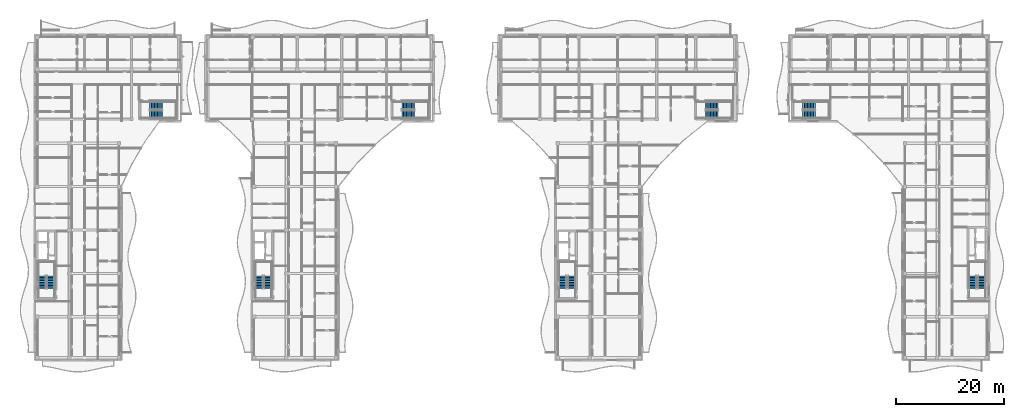
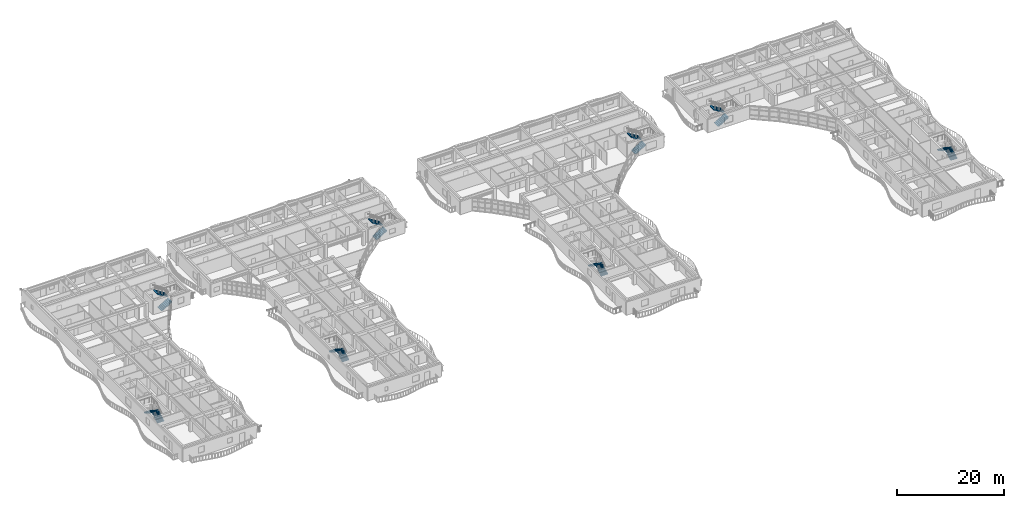
# One storey, part 48 of 76: 16 stair flights, 8 elements without a shape of their own.
"""IFC4 building model written with IfcOpenShell, lengths in metres."""

from ifc_helpers import new_model, si_unit, direction, frame, origin, place, context, subcontext, project, spatial, polyline, outline, extrude, material, type_object, element, aggregate, save


model = new_model("IFC4")

# Units and contexts
model_context = context("Model", 3, precision=1e-05, world=origin(), true_north=direction((0.0, 1.0)))
body_context = subcontext(model_context, "Body", "Model", "MODEL_VIEW")
ifc_project = project(units=[si_unit("LENGTHUNIT", "METRE"), si_unit("AREAUNIT", "SQUARE_METRE"), si_unit("VOLUMEUNIT", "CUBIC_METRE"), si_unit("PLANEANGLEUNIT", "RADIAN"), si_unit("MASSUNIT", "GRAM", prefix="KILO")], contexts=[model_context])

# Site, building, storey
site_placement = place(None, origin())
site = spatial("IfcSite", under=ifc_project, at=site_placement, CompositionType="ELEMENT")
building_placement = place(site_placement, origin())
building = spatial("IfcBuilding", under=site, at=building_placement, Name="Keldmere Railside Commons", CompositionType="ELEMENT")
storey_placement = place(building_placement, frame((0.0, 0.0, 13.760009765625)))
storey = spatial("IfcBuildingStorey", under=building, at=storey_placement, Name="L04", CompositionType="ELEMENT", Elevation=13.760009765625)

# Stair, stair flights
ifc_material = material(Name="Concrete H-30 (C30/37)", Category="concrete")
stair_type_1 = type_object("IfcStairType", Name="Basement Garage Dogleg Escape Stair 1450", PredefinedType="HALF_TURN_STAIR", material=ifc_material)
stair_1_placement = place(storey_placement, origin())
stair_1 = element("IfcStair", 1, at=stair_1_placement, inside=storey, type_object=stair_type_1, Name="L04 Block B Primary Escape Stair 1", PredefinedType="HALF_TURN_STAIR")
stair_flight_type_1 = type_object("IfcStairFlightType", Name="Basement Escape Stair Flight 1450", PredefinedType="STRAIGHT", material=ifc_material)
stair_flight_1_placement = place(storey_placement, frame((106.97509765625, 69.199951171875, 0.0), z_axis=(0.0, 0.0, 1.0), x_axis=(0.0, 1.0, 0.0)))
stair_flight_1 = element("IfcStairFlight", 2, at=stair_flight_1_placement, type_object=stair_flight_type_1, Name="ST-B1 flight 1", NumberOfRisers=9, NumberOfTreads=8, PredefinedType="STRAIGHT", RiserHeight=0.177777778, TreadLength=0.29, context=body_context, shape_type="SweptSolid", body=[
    extrude(outline(polyline([(0.0, 0.0), (0.0, 0.177734375), (0.2900390625, 0.177734375), (0.2900390625, 0.35546875), (0.580078125, 0.35546875), (0.580078125, 0.533447265625), (0.8701171875, 0.533447265625), (0.8701171875, 0.711181640625), (1.159912109375, 0.711181640625), (1.159912109375, 0.888916015625), (1.449951171875, 0.888916015625), (1.449951171875, 1.066650390625), (1.739990234375, 1.066650390625), (1.739990234375, 1.244384765625), (2.030029296875, 1.244384765625), (2.030029296875, 1.422119140625), (2.320068359375, 1.422119140625), (2.320068359375, 1.60009765625), (2.320068359375, 1.211181640625), (0.34423828125, 0.0), (0.0, 0.0)])), frame((0.0, 0.72509765625, 0.0), z_axis=(0.0, -1.0, 0.0), x_axis=(1.0, 0.0, 0.0)), (0.0, 0.0, 1.0), 1.449951171875),
])
stair_flight_2_placement = place(storey_placement, frame((105.375, 71.52001953125, 1.60009765625), z_axis=(0.0, 0.0, 1.0), x_axis=(0.0, -1.0, 0.0)))
stair_flight_2 = element("IfcStairFlight", 3, at=stair_flight_2_placement, type_object=stair_flight_type_1, Name="ST-B1 flight 2", NumberOfRisers=9, NumberOfTreads=8, PredefinedType="STRAIGHT", RiserHeight=0.177777778, TreadLength=0.29, context=body_context, shape_type="SweptSolid", body=[
    extrude(outline(polyline([(0.0, 0.0), (0.0, 0.177734375), (0.2900390625, 0.177734375), (0.2900390625, 0.35546875), (0.580078125, 0.35546875), (0.580078125, 0.533447265625), (0.8701171875, 0.533447265625), (0.8701171875, 0.711181640625), (1.159912109375, 0.711181640625), (1.159912109375, 0.888916015625), (1.449951171875, 0.888916015625), (1.449951171875, 1.066650390625), (1.739990234375, 1.066650390625), (1.739990234375, 1.244384765625), (2.030029296875, 1.244384765625), (2.030029296875, 1.422119140625), (2.320068359375, 1.422119140625), (2.320068359375, 1.60009765625), (2.320068359375, 1.211181640625), (0.34423828125, 0.0), (0.0, 0.0)])), frame((0.0, 0.72509765625, 0.0), z_axis=(0.0, -1.0, 0.0), x_axis=(1.0, 0.0, 0.0)), (0.0, 0.0, 1.0), 1.449951171875),
])
aggregate(stair_1, [stair_flight_1, stair_flight_2])

stair_2_placement = place(storey_placement, origin())
stair_2 = element("IfcStair", 4, at=stair_2_placement, inside=storey, type_object=stair_type_1, Name="L04 Block B Secondary Escape Stair 2", PredefinedType="HALF_TURN_STAIR")
stair_flight_3_placement = place(storey_placement, frame((131.699951171875, 101.324951171875, 0.0), z_axis=(0.0, 0.0, 1.0), x_axis=(1.0, 0.0, 0.0)))
stair_flight_3 = element("IfcStairFlight", 5, at=stair_flight_3_placement, type_object=stair_flight_type_1, Name="ST-B2 flight 1", NumberOfRisers=9, NumberOfTreads=8, PredefinedType="STRAIGHT", RiserHeight=0.177777778, TreadLength=0.29, context=body_context, shape_type="SweptSolid", body=[
    extrude(outline(polyline([(0.0, 0.0), (0.0, 0.177734375), (0.2900390625, 0.177734375), (0.2900390625, 0.35546875), (0.580078125, 0.35546875), (0.580078125, 0.533447265625), (0.8701171875, 0.533447265625), (0.8701171875, 0.711181640625), (1.159912109375, 0.711181640625), (1.159912109375, 0.888916015625), (1.449951171875, 0.888916015625), (1.449951171875, 1.066650390625), (1.739990234375, 1.066650390625), (1.739990234375, 1.244384765625), (2.030029296875, 1.244384765625), (2.030029296875, 1.422119140625), (2.320068359375, 1.422119140625), (2.320068359375, 1.60009765625), (2.320068359375, 1.211181640625), (0.34423828125, 0.0), (0.0, 0.0)])), frame((0.0, 0.72509765625, 0.0), z_axis=(0.0, -1.0, 0.0), x_axis=(1.0, 0.0, 0.0)), (0.0, 0.0, 1.0), 1.449951171875),
])
stair_flight_4_placement = place(storey_placement, frame((134.02001953125, 102.925048828125, 1.60009765625), z_axis=(0.0, 0.0, 1.0), x_axis=(-1.0, 0.0, 0.0)))
stair_flight_4 = element("IfcStairFlight", 6, at=stair_flight_4_placement, type_object=stair_flight_type_1, Name="ST-B2 flight 2", NumberOfRisers=9, NumberOfTreads=8, PredefinedType="STRAIGHT", RiserHeight=0.177777778, TreadLength=0.29, context=body_context, shape_type="SweptSolid", body=[
    extrude(outline(polyline([(0.0, 0.0), (0.0, 0.177734375), (0.2900390625, 0.177734375), (0.2900390625, 0.35546875), (0.580078125, 0.35546875), (0.580078125, 0.533447265625), (0.8701171875, 0.533447265625), (0.8701171875, 0.711181640625), (1.159912109375, 0.711181640625), (1.159912109375, 0.888916015625), (1.449951171875, 0.888916015625), (1.449951171875, 1.066650390625), (1.739990234375, 1.066650390625), (1.739990234375, 1.244384765625), (2.030029296875, 1.244384765625), (2.030029296875, 1.422119140625), (2.320068359375, 1.422119140625), (2.320068359375, 1.60009765625), (2.320068359375, 1.211181640625), (0.34423828125, 0.0), (0.0, 0.0)])), frame((0.0, 0.72509765625, 0.0), z_axis=(0.0, -1.0, 0.0), x_axis=(1.0, 0.0, 0.0)), (0.0, 0.0, 1.0), 1.449951171875),
])
aggregate(stair_2, [stair_flight_3, stair_flight_4])

stair_type_2 = type_object("IfcStairType", Name="Residential Core Dogleg Stair 1450", PredefinedType="HALF_TURN_STAIR", material=ifc_material)
stair_3_placement = place(storey_placement, origin())
stair_3 = element("IfcStair", 7, at=stair_3_placement, inside=storey, type_object=stair_type_2, Name="L04 Block D Primary Escape Stair 1", PredefinedType="HALF_TURN_STAIR")
stair_flight_type_2 = type_object("IfcStairFlightType", Name="Residential Core Stair Flight 1450", PredefinedType="STRAIGHT", material=ifc_material)
stair_flight_5_placement = place(storey_placement, frame((10.97509765625, 69.199951171875, 0.0), z_axis=(0.0, 0.0, 1.0), x_axis=(0.0, 1.0, 0.0)))
stair_flight_5 = element("IfcStairFlight", 8, at=stair_flight_5_placement, type_object=stair_flight_type_2, Name="ST-D1 flight 1", NumberOfRisers=9, NumberOfTreads=8, PredefinedType="STRAIGHT", RiserHeight=0.177777778, TreadLength=0.29, context=body_context, shape_type="SweptSolid", body=[
    extrude(outline(polyline([(0.0, 0.0), (0.0, 0.177734375), (0.2900390625, 0.177734375), (0.2900390625, 0.35546875), (0.580078125, 0.35546875), (0.580078125, 0.533447265625), (0.8701171875, 0.533447265625), (0.8701171875, 0.711181640625), (1.159912109375, 0.711181640625), (1.159912109375, 0.888916015625), (1.449951171875, 0.888916015625), (1.449951171875, 1.066650390625), (1.739990234375, 1.066650390625), (1.739990234375, 1.244384765625), (2.030029296875, 1.244384765625), (2.030029296875, 1.422119140625), (2.320068359375, 1.422119140625), (2.320068359375, 1.60009765625), (2.320068359375, 1.211181640625), (0.34423828125, 0.0), (0.0, 0.0)])), frame((0.0, 0.72509765625, 0.0), z_axis=(0.0, -1.0, 0.0), x_axis=(1.0, 0.0, 0.0)), (0.0, 0.0, 1.0), 1.449951171875),
])
stair_flight_6_placement = place(storey_placement, frame((9.375, 71.52001953125, 1.60009765625), z_axis=(0.0, 0.0, 1.0), x_axis=(0.0, -1.0, 0.0)))
stair_flight_6 = element("IfcStairFlight", 9, at=stair_flight_6_placement, type_object=stair_flight_type_2, Name="ST-D1 flight 2", NumberOfRisers=9, NumberOfTreads=8, PredefinedType="STRAIGHT", RiserHeight=0.177777778, TreadLength=0.29, context=body_context, shape_type="SweptSolid", body=[
    extrude(outline(polyline([(0.0, 0.0), (0.0, 0.177734375), (0.2900390625, 0.177734375), (0.2900390625, 0.35546875), (0.580078125, 0.35546875), (0.580078125, 0.533447265625), (0.8701171875, 0.533447265625), (0.8701171875, 0.711181640625), (1.159912109375, 0.711181640625), (1.159912109375, 0.888916015625), (1.449951171875, 0.888916015625), (1.449951171875, 1.066650390625), (1.739990234375, 1.066650390625), (1.739990234375, 1.244384765625), (2.030029296875, 1.244384765625), (2.030029296875, 1.422119140625), (2.320068359375, 1.422119140625), (2.320068359375, 1.60009765625), (2.320068359375, 1.211181640625), (0.34423828125, 0.0), (0.0, 0.0)])), frame((0.0, 0.72509765625, 0.0), z_axis=(0.0, -1.0, 0.0), x_axis=(1.0, 0.0, 0.0)), (0.0, 0.0, 1.0), 1.449951171875),
])
aggregate(stair_3, [stair_flight_5, stair_flight_6])

stair_4_placement = place(storey_placement, origin())
stair_4 = element("IfcStair", 10, at=stair_4_placement, inside=storey, type_object=stair_type_2, Name="L04 Block D Secondary Escape Stair 2", PredefinedType="HALF_TURN_STAIR")
stair_flight_7_placement = place(storey_placement, frame((29.199951171875, 101.324951171875, 0.0), z_axis=(0.0, 0.0, 1.0), x_axis=(1.0, 0.0, 0.0)))
stair_flight_7 = element("IfcStairFlight", 11, at=stair_flight_7_placement, type_object=stair_flight_type_2, Name="ST-D2 flight 1", NumberOfRisers=9, NumberOfTreads=8, PredefinedType="STRAIGHT", RiserHeight=0.177777778, TreadLength=0.29, context=body_context, shape_type="SweptSolid", body=[
    extrude(outline(polyline([(0.0, 0.0), (0.0, 0.177734375), (0.2900390625, 0.177734375), (0.2900390625, 0.35546875), (0.580078125, 0.35546875), (0.580078125, 0.533447265625), (0.8701171875, 0.533447265625), (0.8701171875, 0.711181640625), (1.159912109375, 0.711181640625), (1.159912109375, 0.888916015625), (1.449951171875, 0.888916015625), (1.449951171875, 1.066650390625), (1.739990234375, 1.066650390625), (1.739990234375, 1.244384765625), (2.030029296875, 1.244384765625), (2.030029296875, 1.422119140625), (2.320068359375, 1.422119140625), (2.320068359375, 1.60009765625), (2.320068359375, 1.211181640625), (0.34423828125, 0.0), (0.0, 0.0)])), frame((0.0, 0.72509765625, 0.0), z_axis=(0.0, -1.0, 0.0), x_axis=(1.0, 0.0, 0.0)), (0.0, 0.0, 1.0), 1.449951171875),
])
stair_flight_8_placement = place(storey_placement, frame((31.52001953125, 102.925048828125, 1.60009765625), z_axis=(0.0, 0.0, 1.0), x_axis=(-1.0, 0.0, 0.0)))
stair_flight_8 = element("IfcStairFlight", 12, at=stair_flight_8_placement, type_object=stair_flight_type_2, Name="ST-D2 flight 2", NumberOfRisers=9, NumberOfTreads=8, PredefinedType="STRAIGHT", RiserHeight=0.177777778, TreadLength=0.29, context=body_context, shape_type="SweptSolid", body=[
    extrude(outline(polyline([(0.0, 0.0), (0.0, 0.177734375), (0.2900390625, 0.177734375), (0.2900390625, 0.35546875), (0.580078125, 0.35546875), (0.580078125, 0.533447265625), (0.8701171875, 0.533447265625), (0.8701171875, 0.711181640625), (1.159912109375, 0.711181640625), (1.159912109375, 0.888916015625), (1.449951171875, 0.888916015625), (1.449951171875, 1.066650390625), (1.739990234375, 1.066650390625), (1.739990234375, 1.244384765625), (2.030029296875, 1.244384765625), (2.030029296875, 1.422119140625), (2.320068359375, 1.422119140625), (2.320068359375, 1.60009765625), (2.320068359375, 1.211181640625), (0.34423828125, 0.0), (0.0, 0.0)])), frame((0.0, 0.72509765625, 0.0), z_axis=(0.0, -1.0, 0.0), x_axis=(1.0, 0.0, 0.0)), (0.0, 0.0, 1.0), 1.449951171875),
])
aggregate(stair_4, [stair_flight_7, stair_flight_8])

stair_5_placement = place(storey_placement, origin())
stair_5 = element("IfcStair", 13, at=stair_5_placement, inside=storey, type_object=stair_type_2, Name="L04 Block C Primary Escape Stair 1", PredefinedType="HALF_TURN_STAIR")
stair_flight_9_placement = place(storey_placement, frame((50.97509765625, 69.199951171875, 0.0), z_axis=(0.0, 0.0, 1.0), x_axis=(0.0, 1.0, 0.0)))
stair_flight_9 = element("IfcStairFlight", 14, at=stair_flight_9_placement, type_object=stair_flight_type_2, Name="ST-C1 flight 1", NumberOfRisers=9, NumberOfTreads=8, PredefinedType="STRAIGHT", RiserHeight=0.177777778, TreadLength=0.29, context=body_context, shape_type="SweptSolid", body=[
    extrude(outline(polyline([(0.0, 0.0), (0.0, 0.177734375), (0.2900390625, 0.177734375), (0.2900390625, 0.35546875), (0.580078125, 0.35546875), (0.580078125, 0.533447265625), (0.8701171875, 0.533447265625), (0.8701171875, 0.711181640625), (1.159912109375, 0.711181640625), (1.159912109375, 0.888916015625), (1.449951171875, 0.888916015625), (1.449951171875, 1.066650390625), (1.739990234375, 1.066650390625), (1.739990234375, 1.244384765625), (2.030029296875, 1.244384765625), (2.030029296875, 1.422119140625), (2.320068359375, 1.422119140625), (2.320068359375, 1.60009765625), (2.320068359375, 1.211181640625), (0.34423828125, 0.0), (0.0, 0.0)])), frame((0.0, 0.72509765625, 0.0), z_axis=(0.0, -1.0, 0.0), x_axis=(1.0, 0.0, 0.0)), (0.0, 0.0, 1.0), 1.449951171875),
])
stair_flight_10_placement = place(storey_placement, frame((49.375, 71.52001953125, 1.60009765625), z_axis=(0.0, 0.0, 1.0), x_axis=(0.0, -1.0, 0.0)))
stair_flight_10 = element("IfcStairFlight", 15, at=stair_flight_10_placement, type_object=stair_flight_type_2, Name="ST-C1 flight 2", NumberOfRisers=9, NumberOfTreads=8, PredefinedType="STRAIGHT", RiserHeight=0.177777778, TreadLength=0.29, context=body_context, shape_type="SweptSolid", body=[
    extrude(outline(polyline([(0.0, 0.0), (0.0, 0.177734375), (0.2900390625, 0.177734375), (0.2900390625, 0.35546875), (0.580078125, 0.35546875), (0.580078125, 0.533447265625), (0.8701171875, 0.533447265625), (0.8701171875, 0.711181640625), (1.159912109375, 0.711181640625), (1.159912109375, 0.888916015625), (1.449951171875, 0.888916015625), (1.449951171875, 1.066650390625), (1.739990234375, 1.066650390625), (1.739990234375, 1.244384765625), (2.030029296875, 1.244384765625), (2.030029296875, 1.422119140625), (2.320068359375, 1.422119140625), (2.320068359375, 1.60009765625), (2.320068359375, 1.211181640625), (0.34423828125, 0.0), (0.0, 0.0)])), frame((0.0, 0.72509765625, 0.0), z_axis=(0.0, -1.0, 0.0), x_axis=(1.0, 0.0, 0.0)), (0.0, 0.0, 1.0), 1.449951171875),
])
aggregate(stair_5, [stair_flight_9, stair_flight_10])

stair_6_placement = place(storey_placement, origin())
stair_6 = element("IfcStair", 16, at=stair_6_placement, inside=storey, type_object=stair_type_2, Name="L04 Block C Secondary Escape Stair 2", PredefinedType="HALF_TURN_STAIR")
stair_flight_11_placement = place(storey_placement, frame((75.699951171875, 101.324951171875, 0.0), z_axis=(0.0, 0.0, 1.0), x_axis=(1.0, 0.0, 0.0)))
stair_flight_11 = element("IfcStairFlight", 17, at=stair_flight_11_placement, type_object=stair_flight_type_2, Name="ST-C2 flight 1", NumberOfRisers=9, NumberOfTreads=8, PredefinedType="STRAIGHT", RiserHeight=0.177777778, TreadLength=0.29, context=body_context, shape_type="SweptSolid", body=[
    extrude(outline(polyline([(0.0, 0.0), (0.0, 0.177734375), (0.2900390625, 0.177734375), (0.2900390625, 0.35546875), (0.580078125, 0.35546875), (0.580078125, 0.533447265625), (0.8701171875, 0.533447265625), (0.8701171875, 0.711181640625), (1.159912109375, 0.711181640625), (1.159912109375, 0.888916015625), (1.449951171875, 0.888916015625), (1.449951171875, 1.066650390625), (1.739990234375, 1.066650390625), (1.739990234375, 1.244384765625), (2.030029296875, 1.244384765625), (2.030029296875, 1.422119140625), (2.320068359375, 1.422119140625), (2.320068359375, 1.60009765625), (2.320068359375, 1.211181640625), (0.34423828125, 0.0), (0.0, 0.0)])), frame((0.0, 0.72509765625, 0.0), z_axis=(0.0, -1.0, 0.0), x_axis=(1.0, 0.0, 0.0)), (0.0, 0.0, 1.0), 1.449951171875),
])
stair_flight_12_placement = place(storey_placement, frame((78.02001953125, 102.925048828125, 1.60009765625), z_axis=(0.0, 0.0, 1.0), x_axis=(-1.0, 0.0, 0.0)))
stair_flight_12 = element("IfcStairFlight", 18, at=stair_flight_12_placement, type_object=stair_flight_type_2, Name="ST-C2 flight 2", NumberOfRisers=9, NumberOfTreads=8, PredefinedType="STRAIGHT", RiserHeight=0.177777778, TreadLength=0.29, context=body_context, shape_type="SweptSolid", body=[
    extrude(outline(polyline([(0.0, 0.0), (0.0, 0.177734375), (0.2900390625, 0.177734375), (0.2900390625, 0.35546875), (0.580078125, 0.35546875), (0.580078125, 0.533447265625), (0.8701171875, 0.533447265625), (0.8701171875, 0.711181640625), (1.159912109375, 0.711181640625), (1.159912109375, 0.888916015625), (1.449951171875, 0.888916015625), (1.449951171875, 1.066650390625), (1.739990234375, 1.066650390625), (1.739990234375, 1.244384765625), (2.030029296875, 1.244384765625), (2.030029296875, 1.422119140625), (2.320068359375, 1.422119140625), (2.320068359375, 1.60009765625), (2.320068359375, 1.211181640625), (0.34423828125, 0.0), (0.0, 0.0)])), frame((0.0, 0.72509765625, 0.0), z_axis=(0.0, -1.0, 0.0), x_axis=(1.0, 0.0, 0.0)), (0.0, 0.0, 1.0), 1.449951171875),
])
aggregate(stair_6, [stair_flight_11, stair_flight_12])

stair_7_placement = place(storey_placement, origin())
stair_7 = element("IfcStair", 19, at=stair_7_placement, inside=storey, type_object=stair_type_2, Name="L04 Block A Primary Escape Stair 1", PredefinedType="HALF_TURN_STAIR")
stair_flight_13_placement = place(storey_placement, frame((182.574951171875, 69.199951171875, 0.0), z_axis=(0.0, 0.0, 1.0), x_axis=(0.0, 1.0, 0.0)))
stair_flight_13 = element("IfcStairFlight", 20, at=stair_flight_13_placement, type_object=stair_flight_type_2, Name="ST-A1 flight 1", NumberOfRisers=9, NumberOfTreads=8, PredefinedType="STRAIGHT", RiserHeight=0.177777778, TreadLength=0.29, context=body_context, shape_type="SweptSolid", body=[
    extrude(outline(polyline([(0.0, 0.0), (0.0, 0.177734375), (0.2900390625, 0.177734375), (0.2900390625, 0.35546875), (0.580078125, 0.35546875), (0.580078125, 0.533447265625), (0.8701171875, 0.533447265625), (0.8701171875, 0.711181640625), (1.159912109375, 0.711181640625), (1.159912109375, 0.888916015625), (1.449951171875, 0.888916015625), (1.449951171875, 1.066650390625), (1.739990234375, 1.066650390625), (1.739990234375, 1.244384765625), (2.030029296875, 1.244384765625), (2.030029296875, 1.422119140625), (2.320068359375, 1.422119140625), (2.320068359375, 1.60009765625), (2.320068359375, 1.211181640625), (0.34423828125, 0.0), (0.0, 0.0)])), frame((0.0, 0.72509765625, 0.0), z_axis=(0.0, -1.0, 0.0), x_axis=(1.0, 0.0, 0.0)), (0.0, 0.0, 1.0), 1.449951171875),
])
stair_flight_14_placement = place(storey_placement, frame((180.97509765625, 71.52001953125, 1.60009765625), z_axis=(0.0, 0.0, 1.0), x_axis=(0.0, -1.0, 0.0)))
stair_flight_14 = element("IfcStairFlight", 21, at=stair_flight_14_placement, type_object=stair_flight_type_2, Name="ST-A1 flight 2", NumberOfRisers=9, NumberOfTreads=8, PredefinedType="STRAIGHT", RiserHeight=0.177777778, TreadLength=0.29, context=body_context, shape_type="SweptSolid", body=[
    extrude(outline(polyline([(0.0, 0.0), (0.0, 0.177734375), (0.2900390625, 0.177734375), (0.2900390625, 0.35546875), (0.580078125, 0.35546875), (0.580078125, 0.533447265625), (0.8701171875, 0.533447265625), (0.8701171875, 0.711181640625), (1.159912109375, 0.711181640625), (1.159912109375, 0.888916015625), (1.449951171875, 0.888916015625), (1.449951171875, 1.066650390625), (1.739990234375, 1.066650390625), (1.739990234375, 1.244384765625), (2.030029296875, 1.244384765625), (2.030029296875, 1.422119140625), (2.320068359375, 1.422119140625), (2.320068359375, 1.60009765625), (2.320068359375, 1.211181640625), (0.34423828125, 0.0), (0.0, 0.0)])), frame((0.0, 0.72509765625, 0.0), z_axis=(0.0, -1.0, 0.0), x_axis=(1.0, 0.0, 0.0)), (0.0, 0.0, 1.0), 1.449951171875),
])
aggregate(stair_7, [stair_flight_13, stair_flight_14])

stair_8_placement = place(storey_placement, origin())
stair_8 = element("IfcStair", 22, at=stair_8_placement, inside=storey, type_object=stair_type_2, Name="L04 Block A Secondary Escape Stair 2", PredefinedType="HALF_TURN_STAIR")
stair_flight_15_placement = place(storey_placement, frame((149.60009765625, 101.324951171875, 0.0), z_axis=(0.0, 0.0, 1.0), x_axis=(1.0, 0.0, 0.0)))
stair_flight_15 = element("IfcStairFlight", 23, at=stair_flight_15_placement, type_object=stair_flight_type_2, Name="ST-A2 flight 1", NumberOfRisers=9, NumberOfTreads=8, PredefinedType="STRAIGHT", RiserHeight=0.177777778, TreadLength=0.29, context=body_context, shape_type="SweptSolid", body=[
    extrude(outline(polyline([(0.0, 0.0), (0.0, 0.177734375), (0.2900390625, 0.177734375), (0.2900390625, 0.35546875), (0.580078125, 0.35546875), (0.580078125, 0.533447265625), (0.8701171875, 0.533447265625), (0.8701171875, 0.711181640625), (1.159912109375, 0.711181640625), (1.159912109375, 0.888916015625), (1.449951171875, 0.888916015625), (1.449951171875, 1.066650390625), (1.739990234375, 1.066650390625), (1.739990234375, 1.244384765625), (2.030029296875, 1.244384765625), (2.030029296875, 1.422119140625), (2.320068359375, 1.422119140625), (2.320068359375, 1.60009765625), (2.320068359375, 1.211181640625), (0.34423828125, 0.0), (0.0, 0.0)])), frame((0.0, 0.72509765625, 0.0), z_axis=(0.0, -1.0, 0.0), x_axis=(1.0, 0.0, 0.0)), (0.0, 0.0, 1.0), 1.449951171875),
])
stair_flight_16_placement = place(storey_placement, frame((151.919921875, 102.925048828125, 1.60009765625), z_axis=(0.0, 0.0, 1.0), x_axis=(-1.0, 0.0, 0.0)))
stair_flight_16 = element("IfcStairFlight", 24, at=stair_flight_16_placement, type_object=stair_flight_type_2, Name="ST-A2 flight 2", NumberOfRisers=9, NumberOfTreads=8, PredefinedType="STRAIGHT", RiserHeight=0.177777778, TreadLength=0.29, context=body_context, shape_type="SweptSolid", body=[
    extrude(outline(polyline([(0.0, 0.0), (0.0, 0.177734375), (0.2900390625, 0.177734375), (0.2900390625, 0.35546875), (0.580078125, 0.35546875), (0.580078125, 0.533447265625), (0.8701171875, 0.533447265625), (0.8701171875, 0.711181640625), (1.159912109375, 0.711181640625), (1.159912109375, 0.888916015625), (1.449951171875, 0.888916015625), (1.449951171875, 1.066650390625), (1.739990234375, 1.066650390625), (1.739990234375, 1.244384765625), (2.030029296875, 1.244384765625), (2.030029296875, 1.422119140625), (2.320068359375, 1.422119140625), (2.320068359375, 1.60009765625), (2.320068359375, 1.211181640625), (0.34423828125, 0.0), (0.0, 0.0)])), frame((0.0, 0.72509765625, 0.0), z_axis=(0.0, -1.0, 0.0), x_axis=(1.0, 0.0, 0.0)), (0.0, 0.0, 1.0), 1.449951171875),
])
aggregate(stair_8, [stair_flight_15, stair_flight_16])

save(model, "model.ifc")
